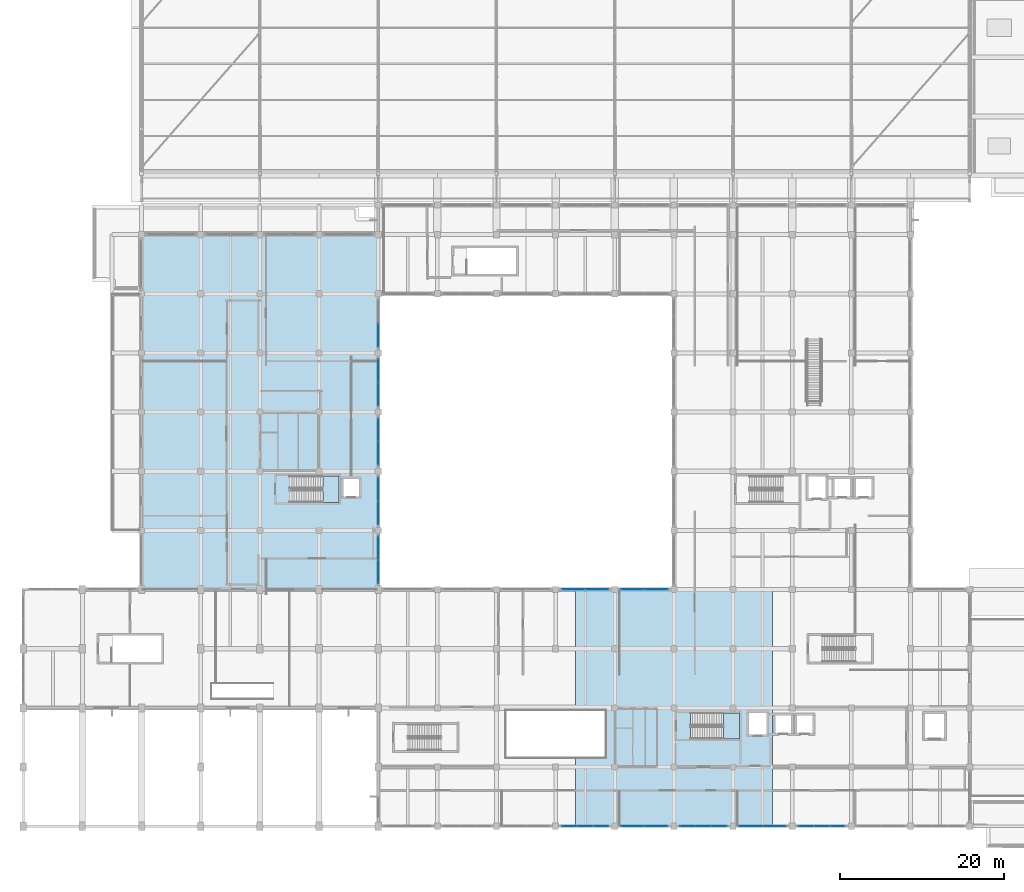
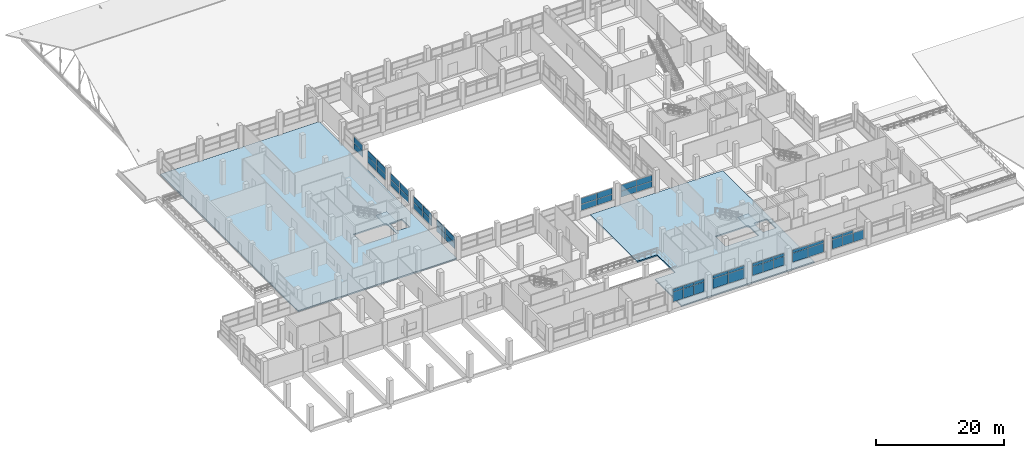
# One storey, part 113 of 141: 51 plates, 4 slabs, 14 elements without a shape of their own.
"""IFC4 building model written with IfcOpenShell, lengths in metres."""

from ifc_helpers import new_model, si_unit, direction, frame, origin, origin_2d, place, context, subcontext, project, spatial, polyline, rectangle, outline, extrude, material, layer, layer_set, type_object, element, aggregate, save


model = new_model("IFC4")

# Units and contexts
model_context = context("Model", 3, precision=1e-05, world=origin(), true_north=direction((0.0, 1.0)))
body_context = subcontext(model_context, "Body", "Model", "MODEL_VIEW")
ifc_project = project(units=[si_unit("LENGTHUNIT", "METRE"), si_unit("AREAUNIT", "SQUARE_METRE"), si_unit("VOLUMEUNIT", "CUBIC_METRE"), si_unit("PLANEANGLEUNIT", "RADIAN"), si_unit("MASSUNIT", "GRAM", prefix="KILO")], contexts=[model_context])

# Site, building, storey
site_placement = place(None, origin())
site = spatial("IfcSite", under=ifc_project, at=site_placement, CompositionType="ELEMENT")
building_placement = place(site_placement, origin())
building = spatial("IfcBuilding", under=site, at=building_placement, Name="Seraya Terrace Polytechnic", CompositionType="ELEMENT")
storey_placement = place(building_placement, frame((0.0, 0.0, 14.39990234375)))
storey = spatial("IfcBuildingStorey", under=building, at=storey_placement, Name="L03", CompositionType="ELEMENT", Elevation=14.39990234375)

# Curtain wall, plates
ifc_material_1 = material(Name="Anodised aluminium EN AW-6063 T6", Category="aluminium")
ifc_layer_1 = layer(ifc_material_1, 0.179931640625, Name="CW-28")
ifc_layer_set_1 = layer_set([ifc_layer_1], Name="Anodised aluminium EN AW-6063 T6")
curtain_wall_type_1 = type_object("IfcCurtainWallType", Name="CW-28", PredefinedType="NOTDEFINED", material=ifc_layer_set_1)
curtain_wall_1_placement = place(storey_placement, origin())
curtain_wall_1 = element("IfcCurtainWall", 1, at=curtain_wall_1_placement, inside=storey, type_object=curtain_wall_type_1, Name="Unitised curtain wall CW-28 (CW-L03-100)", PredefinedType="NOTDEFINED")
ifc_material_2 = material(Name="Laminated solar-control Low-E double glazing", Category="glass")
ifc_layer_2 = layer(ifc_material_2, 0.028076171875, Name="CWP-01")
ifc_layer_set_2 = layer_set([ifc_layer_2], Name="Laminated solar-control Low-E double glazing")
plate_type_1 = type_object("IfcPlateType", Name="CWP-01", PredefinedType="CURTAIN_PANEL", material=ifc_layer_set_2)
plate_1_placement = place(storey_placement, frame((99.103759765625, 0.0, 1.300048828125), z_axis=(0.0, 0.0, 1.0), x_axis=(-1.0, 0.0, 0.0)))
plate_1 = element("IfcPlate", 2, at=plate_1_placement, type_object=plate_type_1, Name="CW-28 panel 1.1", PredefinedType="CURTAIN_PANEL", context=body_context, shape_type="SweptSolid", body=[
    extrude(rectangle(XDim=1.822509765625, YDim=0.028076171875, at=origin_2d()), origin(), (0.0, 0.0, 1.0), 1.75),
])
plate_2_placement = place(storey_placement, frame((97.199951171875, 0.0, 1.300048828125), z_axis=(0.0, 0.0, 1.0), x_axis=(-1.0, 0.0, 0.0)))
plate_2 = element("IfcPlate", 3, at=plate_2_placement, type_object=plate_type_1, Name="CW-28 panel 2.1", PredefinedType="CURTAIN_PANEL", context=body_context, shape_type="SweptSolid", body=[
    extrude(rectangle(XDim=1.85498046875, YDim=0.028076171875, at=origin_2d()), origin(), (0.0, 0.0, 1.0), 1.75),
])
plate_3_placement = place(storey_placement, frame((97.199951171875, 0.0, 3.10986328125), z_axis=(0.0, 0.0, 1.0), x_axis=(-1.0, 0.0, 0.0)))
plate_3 = element("IfcPlate", 4, at=plate_3_placement, type_object=plate_type_1, Name="CW-28 panel 2.2", PredefinedType="CURTAIN_PANEL", context=body_context, shape_type="SweptSolid", body=[
    extrude(rectangle(XDim=1.85498046875, YDim=0.028076171875, at=origin_2d()), origin(), (0.0, 0.0, 1.0), 0.530029296875),
])
plate_4_placement = place(storey_placement, frame((95.296142578125, 0.0, 1.300048828125), z_axis=(0.0, 0.0, 1.0), x_axis=(-1.0, 0.0, 0.0)))
plate_4 = element("IfcPlate", 5, at=plate_4_placement, type_object=plate_type_1, Name="CW-28 panel 3.1", PredefinedType="CURTAIN_PANEL", context=body_context, shape_type="SweptSolid", body=[
    extrude(rectangle(XDim=1.822509765625, YDim=0.028076171875, at=origin_2d()), origin(), (0.0, 0.0, 1.0), 1.75),
])
plate_5_placement = place(storey_placement, frame((95.296142578125, 0.0, 3.10986328125), z_axis=(0.0, 0.0, 1.0), x_axis=(-1.0, 0.0, 0.0)))
plate_5 = element("IfcPlate", 6, at=plate_5_placement, type_object=plate_type_1, Name="CW-28 panel 3.2", PredefinedType="CURTAIN_PANEL", context=body_context, shape_type="SweptSolid", body=[
    extrude(rectangle(XDim=1.822509765625, YDim=0.028076171875, at=origin_2d()), origin(), (0.0, 0.0, 1.0), 0.530029296875),
])
aggregate(curtain_wall_1, [plate_1, plate_2, plate_3, plate_4, plate_5])

ifc_layer_3 = layer(ifc_material_1, 0.179931640625, Name="CW-31")
ifc_layer_set_3 = layer_set([ifc_layer_3], Name="Anodised aluminium EN AW-6063 T6")
curtain_wall_type_2 = type_object("IfcCurtainWallType", Name="CW-31", PredefinedType="NOTDEFINED", material=ifc_layer_set_3)
curtain_wall_2_placement = place(storey_placement, origin())
curtain_wall_2 = element("IfcCurtainWall", 7, at=curtain_wall_2_placement, inside=storey, type_object=curtain_wall_type_2, Name="Unitised curtain wall CW-31 (CW-L03-103)", PredefinedType="NOTDEFINED")
plate_6_placement = place(storey_placement, frame((77.023681640625, 0.0, 1.300048828125), z_axis=(0.0, 0.0, 1.0), x_axis=(-1.0, 0.0, 0.0)))
plate_6 = element("IfcPlate", 8, at=plate_6_placement, type_object=plate_type_1, Name="CW-31 panel 1.1", PredefinedType="CURTAIN_PANEL", context=body_context, shape_type="SweptSolid", body=[
    extrude(rectangle(XDim=2.782470703125, YDim=0.028076171875, at=origin_2d()), origin(), (0.0, 0.0, 1.0), 1.8701171875),
])
plate_7_placement = place(storey_placement, frame((77.023681640625, 0.0, 3.22998046875), z_axis=(0.0, 0.0, 1.0), x_axis=(-1.0, 0.0, 0.0)))
plate_7 = element("IfcPlate", 9, at=plate_7_placement, type_object=plate_type_1, Name="CW-31 panel 1.2", PredefinedType="CURTAIN_PANEL", context=body_context, shape_type="SweptSolid", body=[
    extrude(rectangle(XDim=2.782470703125, YDim=0.028076171875, at=origin_2d()), origin(), (0.0, 0.0, 1.0), 0.530029296875),
])
plate_8_placement = place(storey_placement, frame((74.17626953125, 0.0, 1.300048828125), z_axis=(0.0, 0.0, 1.0), x_axis=(-1.0, 0.0, 0.0)))
plate_8 = element("IfcPlate", 10, at=plate_8_placement, type_object=plate_type_1, Name="CW-31 panel 2.1", PredefinedType="CURTAIN_PANEL", context=body_context, shape_type="SweptSolid", body=[
    extrude(rectangle(XDim=2.782470703125, YDim=0.028076171875, at=origin_2d()), origin(), (0.0, 0.0, 1.0), 1.8701171875),
])
plate_9_placement = place(storey_placement, frame((74.17626953125, 0.0, 3.22998046875), z_axis=(0.0, 0.0, 1.0), x_axis=(-1.0, 0.0, 0.0)))
plate_9 = element("IfcPlate", 11, at=plate_9_placement, type_object=plate_type_1, Name="CW-31 panel 2.2", PredefinedType="CURTAIN_PANEL", context=body_context, shape_type="SweptSolid", body=[
    extrude(rectangle(XDim=2.782470703125, YDim=0.028076171875, at=origin_2d()), origin(), (0.0, 0.0, 1.0), 0.530029296875),
])
aggregate(curtain_wall_2, [plate_6, plate_7, plate_8, plate_9])

ifc_layer_4 = layer(ifc_material_1, 0.179931640625, Name="CW-04")
ifc_layer_set_4 = layer_set([ifc_layer_4], Name="Anodised aluminium EN AW-6063 T6")
curtain_wall_type_3 = type_object("IfcCurtainWallType", Name="CW-04", PredefinedType="NOTDEFINED", material=ifc_layer_set_4)
curtain_wall_3_placement = place(storey_placement, origin())
curtain_wall_3 = element("IfcCurtainWall", 12, at=curtain_wall_3_placement, inside=storey, type_object=curtain_wall_type_3, Name="Unitised curtain wall CW-04 (CW-L03-148)", PredefinedType="NOTDEFINED")
plate_10_placement = place(storey_placement, frame((43.199951171875, 48.2236328125, 1.30029296875), z_axis=(0.0, 0.0, 1.0), x_axis=(0.0, -1.0, 0.0)))
plate_10 = element("IfcPlate", 13, at=plate_10_placement, type_object=plate_type_1, Name="CW-04 panel 1.1", PredefinedType="CURTAIN_PANEL", context=body_context, shape_type="SweptSolid", body=[
    extrude(rectangle(XDim=2.782470703125, YDim=0.028076171875, at=origin_2d()), origin(), (0.0, 0.0, 1.0), 1.139892578125),
])
plate_11_placement = place(storey_placement, frame((43.199951171875, 48.2236328125, 2.5), z_axis=(0.0, 0.0, 1.0), x_axis=(0.0, -1.0, 0.0)))
plate_11 = element("IfcPlate", 14, at=plate_11_placement, type_object=plate_type_1, Name="CW-04 panel 1.2", PredefinedType="CURTAIN_PANEL", context=body_context, shape_type="SweptSolid", body=[
    extrude(rectangle(XDim=2.782470703125, YDim=0.028076171875, at=origin_2d()), origin(), (0.0, 0.0, 1.0), 1.139892578125),
])
plate_12_placement = place(storey_placement, frame((43.199951171875, 45.376220703125, 1.30029296875), z_axis=(0.0, 0.0, 1.0), x_axis=(0.0, -1.0, 0.0)))
plate_12 = element("IfcPlate", 15, at=plate_12_placement, type_object=plate_type_1, Name="CW-04 panel 2.1", PredefinedType="CURTAIN_PANEL", context=body_context, shape_type="SweptSolid", body=[
    extrude(rectangle(XDim=2.782470703125, YDim=0.028076171875, at=origin_2d()), origin(), (0.0, 0.0, 1.0), 1.139892578125),
])
plate_13_placement = place(storey_placement, frame((43.199951171875, 45.376220703125, 2.5), z_axis=(0.0, 0.0, 1.0), x_axis=(0.0, -1.0, 0.0)))
plate_13 = element("IfcPlate", 16, at=plate_13_placement, type_object=plate_type_1, Name="CW-04 panel 2.2", PredefinedType="CURTAIN_PANEL", context=body_context, shape_type="SweptSolid", body=[
    extrude(rectangle(XDim=2.782470703125, YDim=0.028076171875, at=origin_2d()), origin(), (0.0, 0.0, 1.0), 1.139892578125),
])
aggregate(curtain_wall_3, [plate_10, plate_11, plate_12, plate_13])

ifc_layer_5 = layer(ifc_material_1, 0.179931640625, Name="CW-10")
ifc_layer_set_5 = layer_set([ifc_layer_5], Name="Anodised aluminium EN AW-6063 T6")
curtain_wall_type_4 = type_object("IfcCurtainWallType", Name="CW-10", PredefinedType="NOTDEFINED", material=ifc_layer_set_5)
curtain_wall_4_placement = place(storey_placement, origin())
curtain_wall_4 = element("IfcCurtainWall", 17, at=curtain_wall_4_placement, inside=storey, type_object=curtain_wall_type_4, Name="Unitised curtain wall CW-10 (CW-L03-154)", PredefinedType="NOTDEFINED")
plate_14_placement = place(storey_placement, frame((66.976318359375, 28.800048828125, 1.300048828125), z_axis=(0.0, 0.0, 1.0), x_axis=(1.0, 0.0, 0.0)))
plate_14 = element("IfcPlate", 18, at=plate_14_placement, type_object=plate_type_1, Name="CW-10 panel 1.1", PredefinedType="CURTAIN_PANEL", context=body_context, shape_type="SweptSolid", body=[
    extrude(rectangle(XDim=2.782470703125, YDim=0.028076171875, at=origin_2d()), origin(), (0.0, 0.0, 1.0), 1.1298828125),
])
plate_15_placement = place(storey_placement, frame((66.976318359375, 28.800048828125, 2.490234375), z_axis=(0.0, 0.0, 1.0), x_axis=(1.0, 0.0, 0.0)))
plate_15 = element("IfcPlate", 19, at=plate_15_placement, type_object=plate_type_1, Name="CW-10 panel 1.2", PredefinedType="CURTAIN_PANEL", context=body_context, shape_type="SweptSolid", body=[
    extrude(rectangle(XDim=2.782470703125, YDim=0.028076171875, at=origin_2d()), origin(), (0.0, 0.0, 1.0), 1.1298828125),
])
plate_16_placement = place(storey_placement, frame((69.82373046875, 28.800048828125, 1.300048828125), z_axis=(0.0, 0.0, 1.0), x_axis=(1.0, 0.0, 0.0)))
plate_16 = element("IfcPlate", 20, at=plate_16_placement, type_object=plate_type_1, Name="CW-10 panel 2.1", PredefinedType="CURTAIN_PANEL", context=body_context, shape_type="SweptSolid", body=[
    extrude(rectangle(XDim=2.782470703125, YDim=0.028076171875, at=origin_2d()), origin(), (0.0, 0.0, 1.0), 1.1298828125),
])
plate_17_placement = place(storey_placement, frame((69.82373046875, 28.800048828125, 2.490234375), z_axis=(0.0, 0.0, 1.0), x_axis=(1.0, 0.0, 0.0)))
plate_17 = element("IfcPlate", 21, at=plate_17_placement, type_object=plate_type_1, Name="CW-10 panel 2.2", PredefinedType="CURTAIN_PANEL", context=body_context, shape_type="SweptSolid", body=[
    extrude(rectangle(XDim=2.782470703125, YDim=0.028076171875, at=origin_2d()), origin(), (0.0, 0.0, 1.0), 1.1298828125),
])
aggregate(curtain_wall_4, [plate_14, plate_15, plate_16, plate_17])

ifc_layer_6 = layer(ifc_material_1, 0.179931640625, Name="CW-29")
ifc_layer_set_6 = layer_set([ifc_layer_6], Name="Anodised aluminium EN AW-6063 T6")
curtain_wall_type_5 = type_object("IfcCurtainWallType", Name="CW-29", PredefinedType="NOTDEFINED", material=ifc_layer_set_6)
curtain_wall_5_placement = place(storey_placement, origin())
curtain_wall_5 = element("IfcCurtainWall", 22, at=curtain_wall_5_placement, inside=storey, type_object=curtain_wall_type_5, Name="Unitised curtain wall CW-29 (CW-L03-101)", PredefinedType="NOTDEFINED")
ifc_layer_7 = layer(ifc_material_2, 0.031982421875, Name="CWP-02")
ifc_layer_set_7 = layer_set([ifc_layer_7], Name="Laminated solar-control Low-E double glazing")
plate_type_2 = type_object("IfcPlateType", Name="CWP-02", PredefinedType="CURTAIN_PANEL", material=ifc_layer_set_7)
plate_18_placement = place(storey_placement, frame((91.425048828125, 0.0, 1.300048828125), z_axis=(0.0, 0.0, 1.0), x_axis=(-1.0, 0.0, 0.0)))
plate_18 = element("IfcPlate", 23, at=plate_18_placement, type_object=plate_type_2, Name="CW-29 panel 1.1", PredefinedType="CURTAIN_PANEL", context=body_context, shape_type="SweptSolid", body=[
    extrude(rectangle(XDim=2.7900390625, YDim=0.031982421875, at=origin_2d()), origin(), (0.0, 0.0, 1.0), 1.7099609375),
])
plate_19_placement = place(storey_placement, frame((91.425048828125, 0.0, 3.0703125), z_axis=(0.0, 0.0, 1.0), x_axis=(-1.0, 0.0, 0.0)))
plate_19 = element("IfcPlate", 24, at=plate_19_placement, type_object=plate_type_2, Name="CW-29 panel 1.2", PredefinedType="CURTAIN_PANEL", context=body_context, shape_type="SweptSolid", body=[
    extrude(rectangle(XDim=2.7900390625, YDim=0.031982421875, at=origin_2d()), origin(), (0.0, 0.0, 1.0), 0.530029296875),
])
plate_20_placement = place(storey_placement, frame((88.574951171875, 0.0, 1.300048828125), z_axis=(0.0, 0.0, 1.0), x_axis=(-1.0, 0.0, 0.0)))
plate_20 = element("IfcPlate", 25, at=plate_20_placement, type_object=plate_type_2, Name="CW-29 panel 2.1", PredefinedType="CURTAIN_PANEL", context=body_context, shape_type="SweptSolid", body=[
    extrude(rectangle(XDim=2.7900390625, YDim=0.031982421875, at=origin_2d()), origin(), (0.0, 0.0, 1.0), 1.7099609375),
])
plate_21_placement = place(storey_placement, frame((88.574951171875, 0.0, 3.0703125), z_axis=(0.0, 0.0, 1.0), x_axis=(-1.0, 0.0, 0.0)))
plate_21 = element("IfcPlate", 26, at=plate_21_placement, type_object=plate_type_2, Name="CW-29 panel 2.2", PredefinedType="CURTAIN_PANEL", context=body_context, shape_type="SweptSolid", body=[
    extrude(rectangle(XDim=2.7900390625, YDim=0.031982421875, at=origin_2d()), origin(), (0.0, 0.0, 1.0), 0.530029296875),
])
aggregate(curtain_wall_5, [plate_18, plate_19, plate_20, plate_21])

ifc_layer_8 = layer(ifc_material_1, 0.179931640625, Name="CW-32")
ifc_layer_set_8 = layer_set([ifc_layer_8], Name="Anodised aluminium EN AW-6063 T6")
curtain_wall_type_6 = type_object("IfcCurtainWallType", Name="CW-32", PredefinedType="NOTDEFINED", material=ifc_layer_set_8)
curtain_wall_6_placement = place(storey_placement, origin())
curtain_wall_6 = element("IfcCurtainWall", 27, at=curtain_wall_6_placement, inside=storey, type_object=curtain_wall_type_6, Name="Unitised curtain wall CW-32 (CW-L03-104)", PredefinedType="NOTDEFINED")
plate_22_placement = place(storey_placement, frame((70.304931640625, 0.0, 1.300048828125), z_axis=(0.0, 0.0, 1.0), x_axis=(-1.0, 0.0, 0.0)))
plate_22 = element("IfcPlate", 28, at=plate_22_placement, type_object=plate_type_2, Name="CW-32 panel 1.1", PredefinedType="CURTAIN_PANEL", context=body_context, shape_type="SweptSolid", body=[
    extrude(rectangle(XDim=1.830078125, YDim=0.031982421875, at=origin_2d()), origin(), (0.0, 0.0, 1.0), 1.830078125),
])
plate_23_placement = place(storey_placement, frame((70.304931640625, 0.0, 3.18994140625), z_axis=(0.0, 0.0, 1.0), x_axis=(-1.0, 0.0, 0.0)))
plate_23 = element("IfcPlate", 29, at=plate_23_placement, type_object=plate_type_2, Name="CW-32 panel 1.2", PredefinedType="CURTAIN_PANEL", context=body_context, shape_type="SweptSolid", body=[
    extrude(rectangle(XDim=1.830078125, YDim=0.031982421875, at=origin_2d()), origin(), (0.0, 0.0, 1.0), 0.530029296875),
])
plate_24_placement = place(storey_placement, frame((68.39990234375, 0.0, 1.300048828125), z_axis=(0.0, 0.0, 1.0), x_axis=(-1.0, 0.0, 0.0)))
plate_24 = element("IfcPlate", 30, at=plate_24_placement, type_object=plate_type_2, Name="CW-32 panel 2.1", PredefinedType="CURTAIN_PANEL", context=body_context, shape_type="SweptSolid", body=[
    extrude(rectangle(XDim=1.860107421875, YDim=0.031982421875, at=origin_2d()), origin(), (0.0, 0.0, 1.0), 1.830078125),
])
plate_25_placement = place(storey_placement, frame((68.39990234375, 0.0, 3.18994140625), z_axis=(0.0, 0.0, 1.0), x_axis=(-1.0, 0.0, 0.0)))
plate_25 = element("IfcPlate", 31, at=plate_25_placement, type_object=plate_type_2, Name="CW-32 panel 2.2", PredefinedType="CURTAIN_PANEL", context=body_context, shape_type="SweptSolid", body=[
    extrude(rectangle(XDim=1.860107421875, YDim=0.031982421875, at=origin_2d()), origin(), (0.0, 0.0, 1.0), 0.530029296875),
])
plate_26_placement = place(storey_placement, frame((66.4951171875, 0.0, 1.300048828125), z_axis=(0.0, 0.0, 1.0), x_axis=(-1.0, 0.0, 0.0)))
plate_26 = element("IfcPlate", 32, at=plate_26_placement, type_object=plate_type_2, Name="CW-32 panel 3.1", PredefinedType="CURTAIN_PANEL", context=body_context, shape_type="SweptSolid", body=[
    extrude(rectangle(XDim=1.830078125, YDim=0.031982421875, at=origin_2d()), origin(), (0.0, 0.0, 1.0), 1.830078125),
])
plate_27_placement = place(storey_placement, frame((66.4951171875, 0.0, 3.18994140625), z_axis=(0.0, 0.0, 1.0), x_axis=(-1.0, 0.0, 0.0)))
plate_27 = element("IfcPlate", 33, at=plate_27_placement, type_object=plate_type_2, Name="CW-32 panel 3.2", PredefinedType="CURTAIN_PANEL", context=body_context, shape_type="SweptSolid", body=[
    extrude(rectangle(XDim=1.830078125, YDim=0.031982421875, at=origin_2d()), origin(), (0.0, 0.0, 1.0), 0.530029296875),
])
aggregate(curtain_wall_6, [plate_22, plate_23, plate_24, plate_25, plate_26, plate_27])

ifc_layer_9 = layer(ifc_material_1, 0.179931640625, Name="CW-02")
ifc_layer_set_9 = layer_set([ifc_layer_9], Name="Anodised aluminium EN AW-6063 T6")
curtain_wall_type_7 = type_object("IfcCurtainWallType", Name="CW-02", PredefinedType="NOTDEFINED", material=ifc_layer_set_9)
curtain_wall_7_placement = place(storey_placement, origin())
curtain_wall_7 = element("IfcCurtainWall", 34, at=curtain_wall_7_placement, inside=storey, type_object=curtain_wall_type_7, Name="Unitised curtain wall CW-02 (CW-L03-146)", PredefinedType="NOTDEFINED")
plate_28_placement = place(storey_placement, frame((43.199951171875, 59.77490234375, 1.300048828125), z_axis=(0.0, 0.0, 1.0), x_axis=(0.0, -1.0, 0.0)))
plate_28 = element("IfcPlate", 35, at=plate_28_placement, type_object=plate_type_2, Name="CW-02 panel 2.1", PredefinedType="CURTAIN_PANEL", context=body_context, shape_type="SweptSolid", body=[
    extrude(rectangle(XDim=2.7900390625, YDim=0.031982421875, at=origin_2d()), origin(), (0.0, 0.0, 1.0), 1.14501953125),
])
plate_29_placement = place(storey_placement, frame((43.199951171875, 59.77490234375, 2.505126953125), z_axis=(0.0, 0.0, 1.0), x_axis=(0.0, -1.0, 0.0)))
plate_29 = element("IfcPlate", 36, at=plate_29_placement, type_object=plate_type_2, Name="CW-02 panel 2.2", PredefinedType="CURTAIN_PANEL", context=body_context, shape_type="SweptSolid", body=[
    extrude(rectangle(XDim=2.7900390625, YDim=0.031982421875, at=origin_2d()), origin(), (0.0, 0.0, 1.0), 1.14501953125),
])
aggregate(curtain_wall_7, [plate_28, plate_29])

ifc_layer_10 = layer(ifc_material_1, 0.179931640625, Name="CW-05")
ifc_layer_set_10 = layer_set([ifc_layer_10], Name="Anodised aluminium EN AW-6063 T6")
curtain_wall_type_8 = type_object("IfcCurtainWallType", Name="CW-05", PredefinedType="NOTDEFINED", material=ifc_layer_set_10)
curtain_wall_8_placement = place(storey_placement, origin())
curtain_wall_8 = element("IfcCurtainWall", 37, at=curtain_wall_8_placement, inside=storey, type_object=curtain_wall_type_8, Name="Unitised curtain wall CW-05 (CW-L03-149)", PredefinedType="NOTDEFINED")
plate_30_placement = place(storey_placement, frame((43.199951171875, 41.02490234375, 1.300048828125), z_axis=(0.0, 0.0, 1.0), x_axis=(0.0, -1.0, 0.0)))
plate_30 = element("IfcPlate", 38, at=plate_30_placement, type_object=plate_type_2, Name="CW-05 panel 1.1", PredefinedType="CURTAIN_PANEL", context=body_context, shape_type="SweptSolid", body=[
    extrude(rectangle(XDim=2.7900390625, YDim=0.031982421875, at=origin_2d()), origin(), (0.0, 0.0, 1.0), 1.1201171875),
])
plate_31_placement = place(storey_placement, frame((43.199951171875, 41.02490234375, 2.47998046875), z_axis=(0.0, 0.0, 1.0), x_axis=(0.0, -1.0, 0.0)))
plate_31 = element("IfcPlate", 39, at=plate_31_placement, type_object=plate_type_2, Name="CW-05 panel 1.2", PredefinedType="CURTAIN_PANEL", context=body_context, shape_type="SweptSolid", body=[
    extrude(rectangle(XDim=2.7900390625, YDim=0.031982421875, at=origin_2d()), origin(), (0.0, 0.0, 1.0), 1.1201171875),
])
plate_32_placement = place(storey_placement, frame((43.199951171875, 38.175048828125, 1.300048828125), z_axis=(0.0, 0.0, 1.0), x_axis=(0.0, -1.0, 0.0)))
plate_32 = element("IfcPlate", 40, at=plate_32_placement, type_object=plate_type_2, Name="CW-05 panel 2.1", PredefinedType="CURTAIN_PANEL", context=body_context, shape_type="SweptSolid", body=[
    extrude(rectangle(XDim=2.7900390625, YDim=0.031982421875, at=origin_2d()), origin(), (0.0, 0.0, 1.0), 1.1201171875),
])
plate_33_placement = place(storey_placement, frame((43.199951171875, 38.175048828125, 2.47998046875), z_axis=(0.0, 0.0, 1.0), x_axis=(0.0, -1.0, 0.0)))
plate_33 = element("IfcPlate", 41, at=plate_33_placement, type_object=plate_type_2, Name="CW-05 panel 2.2", PredefinedType="CURTAIN_PANEL", context=body_context, shape_type="SweptSolid", body=[
    extrude(rectangle(XDim=2.7900390625, YDim=0.031982421875, at=origin_2d()), origin(), (0.0, 0.0, 1.0), 1.1201171875),
])
aggregate(curtain_wall_8, [plate_30, plate_31, plate_32, plate_33])

ifc_layer_11 = layer(ifc_material_1, 0.179931640625, Name="CW-11")
ifc_layer_set_11 = layer_set([ifc_layer_11], Name="Anodised aluminium EN AW-6063 T6")
curtain_wall_type_9 = type_object("IfcCurtainWallType", Name="CW-11", PredefinedType="NOTDEFINED", material=ifc_layer_set_11)
curtain_wall_9_placement = place(storey_placement, origin())
curtain_wall_9 = element("IfcCurtainWall", 42, at=curtain_wall_9_placement, inside=storey, type_object=curtain_wall_type_9, Name="Unitised curtain wall CW-11 (CW-L03-155)", PredefinedType="NOTDEFINED")
plate_34_placement = place(storey_placement, frame((74.175048828125, 28.800048828125, 1.300048828125), z_axis=(0.0, 0.0, 1.0), x_axis=(1.0, 0.0, 0.0)))
plate_34 = element("IfcPlate", 43, at=plate_34_placement, type_object=plate_type_2, Name="CW-11 panel 1.1", PredefinedType="CURTAIN_PANEL", context=body_context, shape_type="SweptSolid", body=[
    extrude(rectangle(XDim=2.7900390625, YDim=0.031982421875, at=origin_2d()), origin(), (0.0, 0.0, 1.0), 1.1201171875),
])
plate_35_placement = place(storey_placement, frame((74.175048828125, 28.800048828125, 2.47998046875), z_axis=(0.0, 0.0, 1.0), x_axis=(1.0, 0.0, 0.0)))
plate_35 = element("IfcPlate", 44, at=plate_35_placement, type_object=plate_type_2, Name="CW-11 panel 1.2", PredefinedType="CURTAIN_PANEL", context=body_context, shape_type="SweptSolid", body=[
    extrude(rectangle(XDim=2.7900390625, YDim=0.031982421875, at=origin_2d()), origin(), (0.0, 0.0, 1.0), 1.1201171875),
])
plate_36_placement = place(storey_placement, frame((77.02490234375, 28.800048828125, 1.300048828125), z_axis=(0.0, 0.0, 1.0), x_axis=(1.0, 0.0, 0.0)))
plate_36 = element("IfcPlate", 45, at=plate_36_placement, type_object=plate_type_2, Name="CW-11 panel 2.1", PredefinedType="CURTAIN_PANEL", context=body_context, shape_type="SweptSolid", body=[
    extrude(rectangle(XDim=2.7900390625, YDim=0.031982421875, at=origin_2d()), origin(), (0.0, 0.0, 1.0), 1.1201171875),
])
plate_37_placement = place(storey_placement, frame((77.02490234375, 28.800048828125, 2.47998046875), z_axis=(0.0, 0.0, 1.0), x_axis=(1.0, 0.0, 0.0)))
plate_37 = element("IfcPlate", 46, at=plate_37_placement, type_object=plate_type_2, Name="CW-11 panel 2.2", PredefinedType="CURTAIN_PANEL", context=body_context, shape_type="SweptSolid", body=[
    extrude(rectangle(XDim=2.7900390625, YDim=0.031982421875, at=origin_2d()), origin(), (0.0, 0.0, 1.0), 1.1201171875),
])
aggregate(curtain_wall_9, [plate_34, plate_35, plate_36, plate_37])

ifc_layer_12 = layer(ifc_material_1, 0.179931640625, Name="CW-30")
ifc_layer_set_12 = layer_set([ifc_layer_12], Name="Anodised aluminium EN AW-6063 T6")
curtain_wall_type_10 = type_object("IfcCurtainWallType", Name="CW-30", PredefinedType="NOTDEFINED", material=ifc_layer_set_12)
curtain_wall_10_placement = place(storey_placement, origin())
curtain_wall_10 = element("IfcCurtainWall", 47, at=curtain_wall_10_placement, inside=storey, type_object=curtain_wall_type_10, Name="Unitised curtain wall CW-30 (CW-L03-102)", PredefinedType="NOTDEFINED")
ifc_layer_13 = layer(ifc_material_2, 0.035888671875, Name="CWP-03")
ifc_layer_set_13 = layer_set([ifc_layer_13], Name="Laminated solar-control Low-E double glazing")
plate_type_3 = type_object("IfcPlateType", Name="CWP-03", PredefinedType="CURTAIN_PANEL", material=ifc_layer_set_13)
plate_38_placement = place(storey_placement, frame((84.705078125, 0.0, 1.294921875), z_axis=(0.0, 0.0, 1.0), x_axis=(-1.0, 0.0, 0.0)))
plate_38 = element("IfcPlate", 48, at=plate_38_placement, type_object=plate_type_3, Name="CW-30 panel 1.1", PredefinedType="CURTAIN_PANEL", context=body_context, shape_type="SweptSolid", body=[
    extrude(rectangle(XDim=1.830078125, YDim=0.035888671875, at=origin_2d()), origin(), (0.0, 0.0, 1.0), 1.677490234375),
])
plate_39_placement = place(storey_placement, frame((84.705078125, 0.0, 3.027587890625), z_axis=(0.0, 0.0, 1.0), x_axis=(-1.0, 0.0, 0.0)))
plate_39 = element("IfcPlate", 49, at=plate_39_placement, type_object=plate_type_3, Name="CW-30 panel 1.2", PredefinedType="CURTAIN_PANEL", context=body_context, shape_type="SweptSolid", body=[
    extrude(rectangle(XDim=1.830078125, YDim=0.035888671875, at=origin_2d()), origin(), (0.0, 0.0, 1.0), 0.53759765625),
])
plate_40_placement = place(storey_placement, frame((82.800048828125, 0.0, 1.294921875), z_axis=(0.0, 0.0, 1.0), x_axis=(-1.0, 0.0, 0.0)))
plate_40 = element("IfcPlate", 50, at=plate_40_placement, type_object=plate_type_3, Name="CW-30 panel 2.1", PredefinedType="CURTAIN_PANEL", context=body_context, shape_type="SweptSolid", body=[
    extrude(rectangle(XDim=1.860107421875, YDim=0.035888671875, at=origin_2d()), origin(), (0.0, 0.0, 1.0), 1.677490234375),
])
plate_41_placement = place(storey_placement, frame((82.800048828125, 0.0, 3.027587890625), z_axis=(0.0, 0.0, 1.0), x_axis=(-1.0, 0.0, 0.0)))
plate_41 = element("IfcPlate", 51, at=plate_41_placement, type_object=plate_type_3, Name="CW-30 panel 2.2", PredefinedType="CURTAIN_PANEL", context=body_context, shape_type="SweptSolid", body=[
    extrude(rectangle(XDim=1.860107421875, YDim=0.035888671875, at=origin_2d()), origin(), (0.0, 0.0, 1.0), 0.53759765625),
])
plate_42_placement = place(storey_placement, frame((80.89501953125, 0.0, 1.294921875), z_axis=(0.0, 0.0, 1.0), x_axis=(-1.0, 0.0, 0.0)))
plate_42 = element("IfcPlate", 52, at=plate_42_placement, type_object=plate_type_3, Name="CW-30 panel 3.1", PredefinedType="CURTAIN_PANEL", context=body_context, shape_type="SweptSolid", body=[
    extrude(rectangle(XDim=1.830078125, YDim=0.035888671875, at=origin_2d()), origin(), (0.0, 0.0, 1.0), 1.677490234375),
])
plate_43_placement = place(storey_placement, frame((80.89501953125, 0.0, 3.027587890625), z_axis=(0.0, 0.0, 1.0), x_axis=(-1.0, 0.0, 0.0)))
plate_43 = element("IfcPlate", 53, at=plate_43_placement, type_object=plate_type_3, Name="CW-30 panel 3.2", PredefinedType="CURTAIN_PANEL", context=body_context, shape_type="SweptSolid", body=[
    extrude(rectangle(XDim=1.830078125, YDim=0.035888671875, at=origin_2d()), origin(), (0.0, 0.0, 1.0), 0.53759765625),
])
aggregate(curtain_wall_10, [plate_38, plate_39, plate_40, plate_41, plate_42, plate_43])

ifc_layer_14 = layer(ifc_material_1, 0.179931640625, Name="CW-03")
ifc_layer_set_14 = layer_set([ifc_layer_14], Name="Anodised aluminium EN AW-6063 T6")
curtain_wall_type_11 = type_object("IfcCurtainWallType", Name="CW-03", PredefinedType="NOTDEFINED", material=ifc_layer_set_14)
curtain_wall_11_placement = place(storey_placement, origin())
curtain_wall_11 = element("IfcCurtainWall", 54, at=curtain_wall_11_placement, inside=storey, type_object=curtain_wall_type_11, Name="Unitised curtain wall CW-03 (CW-L03-147)", PredefinedType="NOTDEFINED")
plate_44_placement = place(storey_placement, frame((43.199951171875, 55.425048828125, 1.294921875), z_axis=(0.0, 0.0, 1.0), x_axis=(0.0, -1.0, 0.0)))
plate_44 = element("IfcPlate", 55, at=plate_44_placement, type_object=plate_type_3, Name="CW-03 panel 1.1", PredefinedType="CURTAIN_PANEL", context=body_context, shape_type="SweptSolid", body=[
    extrude(rectangle(XDim=2.7900390625, YDim=0.035888671875, at=origin_2d()), origin(), (0.0, 0.0, 1.0), 1.152587890625),
])
plate_45_placement = place(storey_placement, frame((43.199951171875, 55.425048828125, 2.50244140625), z_axis=(0.0, 0.0, 1.0), x_axis=(0.0, -1.0, 0.0)))
plate_45 = element("IfcPlate", 56, at=plate_45_placement, type_object=plate_type_3, Name="CW-03 panel 1.2", PredefinedType="CURTAIN_PANEL", context=body_context, shape_type="SweptSolid", body=[
    extrude(rectangle(XDim=2.7900390625, YDim=0.035888671875, at=origin_2d()), origin(), (0.0, 0.0, 1.0), 1.152587890625),
])
plate_46_placement = place(storey_placement, frame((43.199951171875, 52.574951171875, 1.294921875), z_axis=(0.0, 0.0, 1.0), x_axis=(0.0, -1.0, 0.0)))
plate_46 = element("IfcPlate", 57, at=plate_46_placement, type_object=plate_type_3, Name="CW-03 panel 2.1", PredefinedType="CURTAIN_PANEL", context=body_context, shape_type="SweptSolid", body=[
    extrude(rectangle(XDim=2.7900390625, YDim=0.035888671875, at=origin_2d()), origin(), (0.0, 0.0, 1.0), 1.152587890625),
])
plate_47_placement = place(storey_placement, frame((43.199951171875, 52.574951171875, 2.50244140625), z_axis=(0.0, 0.0, 1.0), x_axis=(0.0, -1.0, 0.0)))
plate_47 = element("IfcPlate", 58, at=plate_47_placement, type_object=plate_type_3, Name="CW-03 panel 2.2", PredefinedType="CURTAIN_PANEL", context=body_context, shape_type="SweptSolid", body=[
    extrude(rectangle(XDim=2.7900390625, YDim=0.035888671875, at=origin_2d()), origin(), (0.0, 0.0, 1.0), 1.152587890625),
])
aggregate(curtain_wall_11, [plate_44, plate_45, plate_46, plate_47])

ifc_layer_15 = layer(ifc_material_1, 0.179931640625, Name="CW-06")
ifc_layer_set_15 = layer_set([ifc_layer_15], Name="Anodised aluminium EN AW-6063 T6")
curtain_wall_type_12 = type_object("IfcCurtainWallType", Name="CW-06", PredefinedType="NOTDEFINED", material=ifc_layer_set_15)
curtain_wall_12_placement = place(storey_placement, origin())
curtain_wall_12 = element("IfcCurtainWall", 59, at=curtain_wall_12_placement, inside=storey, type_object=curtain_wall_type_12, Name="Unitised curtain wall CW-06 (CW-L03-150)", PredefinedType="NOTDEFINED")
plate_48_placement = place(storey_placement, frame((43.199951171875, 33.824951171875, 1.295166015625), z_axis=(0.0, 0.0, 1.0), x_axis=(0.0, -1.0, 0.0)))
plate_48 = element("IfcPlate", 60, at=plate_48_placement, type_object=plate_type_3, Name="CW-06 panel 1.1", PredefinedType="CURTAIN_PANEL", context=body_context, shape_type="SweptSolid", body=[
    extrude(rectangle(XDim=2.7900390625, YDim=0.035888671875, at=origin_2d()), origin(), (0.0, 0.0, 1.0), 1.107421875),
])
plate_49_placement = place(storey_placement, frame((43.199951171875, 33.824951171875, 2.45751953125), z_axis=(0.0, 0.0, 1.0), x_axis=(0.0, -1.0, 0.0)))
plate_49 = element("IfcPlate", 61, at=plate_49_placement, type_object=plate_type_3, Name="CW-06 panel 1.2", PredefinedType="CURTAIN_PANEL", context=body_context, shape_type="SweptSolid", body=[
    extrude(rectangle(XDim=2.7900390625, YDim=0.035888671875, at=origin_2d()), origin(), (0.0, 0.0, 1.0), 1.107421875),
])
plate_50_placement = place(storey_placement, frame((43.199951171875, 30.97509765625, 1.295166015625), z_axis=(0.0, 0.0, 1.0), x_axis=(0.0, -1.0, 0.0)))
plate_50 = element("IfcPlate", 62, at=plate_50_placement, type_object=plate_type_3, Name="CW-06 panel 2.1", PredefinedType="CURTAIN_PANEL", context=body_context, shape_type="SweptSolid", body=[
    extrude(rectangle(XDim=2.7900390625, YDim=0.035888671875, at=origin_2d()), origin(), (0.0, 0.0, 1.0), 1.107421875),
])
plate_51_placement = place(storey_placement, frame((43.199951171875, 30.97509765625, 2.45751953125), z_axis=(0.0, 0.0, 1.0), x_axis=(0.0, -1.0, 0.0)))
plate_51 = element("IfcPlate", 63, at=plate_51_placement, type_object=plate_type_3, Name="CW-06 panel 2.2", PredefinedType="CURTAIN_PANEL", context=body_context, shape_type="SweptSolid", body=[
    extrude(rectangle(XDim=2.7900390625, YDim=0.035888671875, at=origin_2d()), origin(), (0.0, 0.0, 1.0), 1.107421875),
])
aggregate(curtain_wall_12, [plate_48, plate_49, plate_50, plate_51])

# Slabs
ifc_material_3 = material(Name="Concrete C40/50", Category="concrete")
ifc_layer_16 = layer(ifc_material_3, 0.260009765625, Name="FS-08")
ifc_layer_set_16 = layer_set([ifc_layer_16], Name="Concrete C40/50")
slab_type_1 = type_object("IfcSlabType", Name="FS-08", PredefinedType="FLOOR", material=ifc_layer_set_16)
slab_1_placement = place(storey_placement, frame((0.0, 0.0, -0.260009765625)))
element("IfcSlab", 64, at=slab_1_placement, inside=storey, type_object=slab_type_1, Name="Floor slab SLB-V2-SOUTH-L03-S2 (FS-08)", PredefinedType="FLOOR", context=body_context, shape_type="SweptSolid", body=[
    extrude(outline(polyline([(91.199951171875, 28.739990234375), (91.199951171875, 0.06005859375), (67.205078125, 0.06005859375), (67.205078125, 8.39990234375), (70.800048828125, 8.39990234375), (70.800048828125, 14.0), (67.205078125, 14.0), (67.205078125, 28.739990234375), (91.199951171875, 28.739990234375)]), holes=[polyline([(81.239990234375, 13.800048828125), (81.239990234375, 10.60009765625), (87.199951171875, 10.60009765625), (87.199951171875, 13.800048828125), (81.239990234375, 13.800048828125)]), polyline([(88.199951171875, 13.89990234375), (88.199951171875, 11.0), (90.60009765625, 11.0), (90.60009765625, 13.89990234375), (88.199951171875, 13.89990234375)])]), origin(), (0.0, 0.0, 1.0), 0.260009765625),
])
slab_2_placement = place(storey_placement, frame((0.0, 0.0, -0.260009765625)))
element("IfcSlab", 65, at=slab_2_placement, inside=storey, type_object=slab_type_1, Name="Floor slab SLB-V2-WEST-L03-S1 (FS-08)", PredefinedType="FLOOR", context=body_context, shape_type="SweptSolid", body=[
    extrude(outline(polyline([(14.4599609375, 71.93994140625), (43.139892578125, 71.93994140625), (43.139892578125, 28.860107421875), (14.4599609375, 28.860107421875), (14.4599609375, 71.93994140625)]), holes=[polyline([(32.43994140625, 42.60009765625), (32.43994140625, 39.39990234375), (38.39990234375, 39.39990234375), (38.39990234375, 42.60009765625), (32.43994140625, 42.60009765625)]), polyline([(41.02001953125, 42.39990234375), (38.820068359375, 42.39990234375), (38.820068359375, 40.0), (41.02001953125, 40.0), (41.02001953125, 42.39990234375)])]), origin(), (0.0, 0.0, 1.0), 0.260009765625),
])

# Stair, slab
stair_type = type_object("IfcStairType", Name="ST-T2", PredefinedType="HALF_TURN_STAIR", material=ifc_material_3)
stair_1_placement = place(storey_placement, origin())
stair_1 = element("IfcStair", 66, at=stair_1_placement, inside=storey, type_object=stair_type, Name="L03 Protected exit stair ST-01", PredefinedType="HALF_TURN_STAIR")
ifc_layer_17 = layer(ifc_material_3, 0.199951171875, Name="SL-01")
ifc_layer_set_17 = layer_set([ifc_layer_17], Name="Concrete C40/50")
slab_type_2 = type_object("IfcSlabType", Name="SL-01", PredefinedType="LANDING", material=ifc_layer_set_17)
slab_3_placement = place(storey_placement, frame((0.0, 0.0, 2.050048828125)))
slab_3 = element("IfcSlab", 67, at=slab_3_placement, type_object=slab_type_2, Name="ST-01 landing 1", PredefinedType="LANDING", context=body_context, shape_type="SweptSolid", body=[
    extrude(outline(polyline([(85.260009765625, 10.60009765625), (87.199951171875, 10.60009765625), (87.199951171875, 13.800048828125), (85.260009765625, 13.800048828125), (85.260009765625, 10.60009765625)])), origin(), (0.0, 0.0, 1.0), 0.199951171875),
])
aggregate(stair_1, [slab_3])

stair_2_placement = place(storey_placement, origin())
stair_2 = element("IfcStair", 68, at=stair_2_placement, inside=storey, type_object=stair_type, Name="L03 Protected exit stair ST-04", PredefinedType="HALF_TURN_STAIR")
slab_4_placement = place(storey_placement, frame((0.0, 0.0, 2.050048828125)))
slab_4 = element("IfcSlab", 69, at=slab_4_placement, type_object=slab_type_2, Name="ST-04 landing 1", PredefinedType="LANDING", context=body_context, shape_type="SweptSolid", body=[
    extrude(outline(polyline([(36.4599609375, 39.39990234375), (38.39990234375, 39.39990234375), (38.39990234375, 42.60009765625), (36.4599609375, 42.60009765625), (36.4599609375, 39.39990234375)])), origin(), (0.0, 0.0, 1.0), 0.199951171875),
])
aggregate(stair_2, [slab_4])

save(model, "model.ifc")
